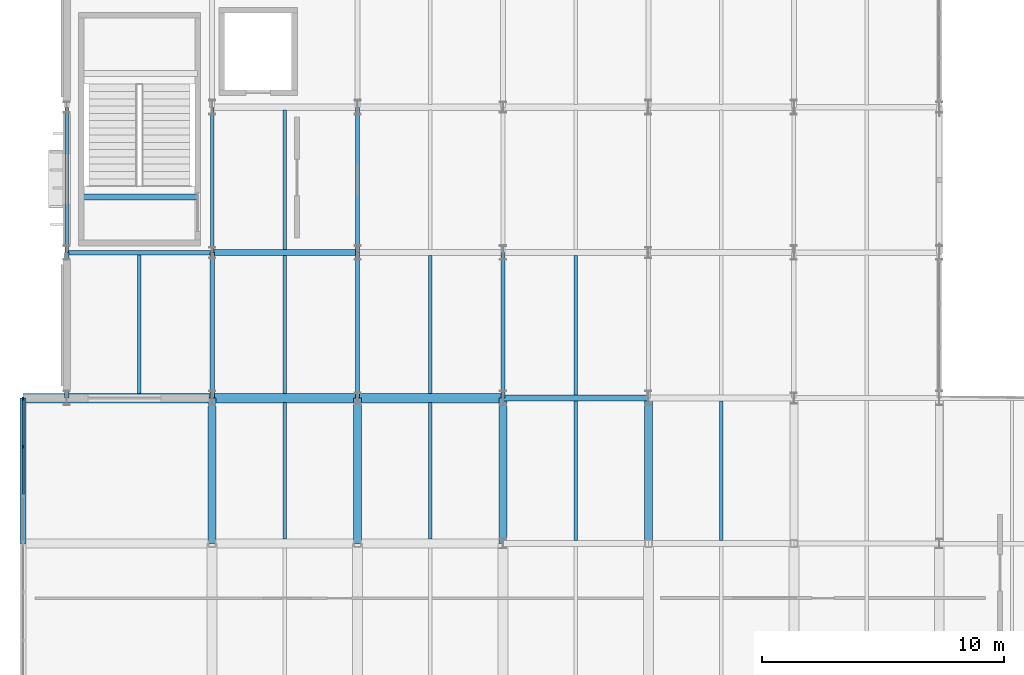
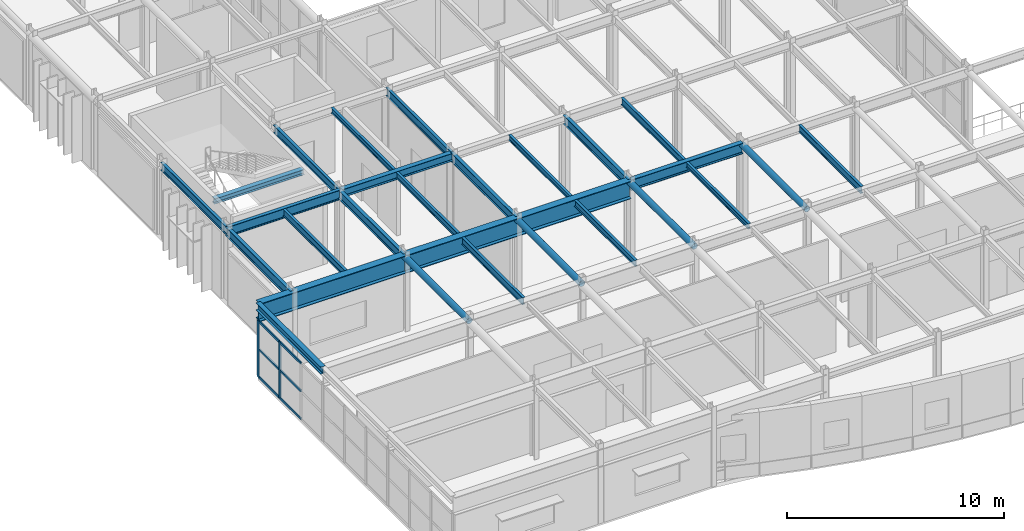
# One storey, part 24 of 96: 27 beams, 8 members, 1 element without a shape of its own.
"""IFC4 building model written with IfcOpenShell, lengths in metres."""

from ifc_helpers import new_model, si_unit, direction, frame, origin, origin_2d, place, context, subcontext, project, spatial, rectangle, hollow_circle, i_section, extrude, material, material_profile, profile_set, type_object, element, aggregate, save


model = new_model("IFC4")

# Units and contexts
model_context = context("Model", 3, precision=1e-05, world=origin(), true_north=direction((0.0, 1.0)))
body_context = subcontext(model_context, "Body", "Model", "MODEL_VIEW")
ifc_project = project(units=[si_unit("LENGTHUNIT", "METRE"), si_unit("AREAUNIT", "SQUARE_METRE"), si_unit("VOLUMEUNIT", "CUBIC_METRE"), si_unit("PLANEANGLEUNIT", "RADIAN"), si_unit("MASSUNIT", "GRAM", prefix="KILO")], contexts=[model_context])

# Site, building, storey
site_placement = place(None, origin())
site = spatial("IfcSite", under=ifc_project, at=site_placement, CompositionType="ELEMENT")
building_placement = place(site_placement, origin())
building = spatial("IfcBuilding", under=site, at=building_placement, Name="Varnakota Square Police Headquarters", CompositionType="ELEMENT")
storey_placement = place(building_placement, frame((0.0, 0.0, 4.800048828125)))
storey = spatial("IfcBuildingStorey", under=building, at=storey_placement, Name="L01", CompositionType="ELEMENT", Elevation=4.800048828125)

# Beams
ifc_material_1 = material(Name="Steel IS 2062 Grade 350", Category="steel")
ifc_material_profile_1 = material_profile(ifc_material_1, hollow_circle(Radius=0.161865234375, WallThickness=0.0126953125, at=origin_2d()), Name="CHS 323.9x12.7")
ifc_profile_set_1 = profile_set([ifc_material_profile_1], Name="Steel IS 2062 Grade 350")
beam_type_1 = type_object("IfcBeamType", Name="BM-ARC-CHS324", PredefinedType="BEAM", material=ifc_profile_set_1)
for number, where, z_axis, x_axis, name in (
    (1, (12.0, 15.0, 4.0380859375), (0.0, 1.0, 0.0), (-1.0, 0.0, 0.0), "BMG-L01-1553"),
    (2, (18.0, 15.0, 4.0380859375), (0.0, 1.0, 0.0), (-1.0, 0.0, 0.0), "BMG-L01-1567"),
    (3, (24.0, 15.0, 4.0380859375), (0.0, 1.0, 0.0), (-1.0, 0.0, 0.0), "BMG-L01-1581"),
    (4, (30.0, 15.0, 4.0380859375), (0.0, 1.0, 0.0), (-1.0, 0.0, 0.0), "BMG-L01-1589"),
):
    element("IfcBeam", number, at=place(storey_placement, frame(where, z_axis=z_axis, x_axis=x_axis)), inside=storey, type_object=beam_type_1, Name=name, PredefinedType="BEAM", context=body_context, shape_type="SweptSolid", body=[
        extrude(hollow_circle(Radius=0.161865234375, WallThickness=0.0126953125, at=origin_2d()), origin(), (0.0, 0.0, 1.0), 6.0),
    ])
ifc_material_profile_2 = material_profile(ifc_material_1, i_section(OverallWidth=0.3798828125, OverallDepth=1.0, WebThickness=0.02001953125, FlangeThickness=0.031982421875, at=origin_2d()), Name="BPG 1000x380")
ifc_profile_set_2 = profile_set([ifc_material_profile_2], Name="Steel IS 2062 Grade 350")
beam_type_2 = type_object("IfcBeamType", Name="BM-BPG1000", PredefinedType="BEAM", material=ifc_profile_set_2)
beam_1_placement = place(storey_placement, frame((4.199951171875, 21.0, 3.699951171875), z_axis=(1.0, 0.0, 0.0), x_axis=(0.0, 1.0, 0.0)))
element("IfcBeam", 5, at=beam_1_placement, inside=storey, type_object=beam_type_2, Name="Cantilever projection girder L01 Y=21", PredefinedType="BEAM", context=body_context, shape_type="SweptSolid", body=[
    extrude(i_section(OverallWidth=0.3798828125, OverallDepth=1.0, WebThickness=0.02001953125, FlangeThickness=0.031982421875, at=origin_2d()), origin(), (0.0, 0.0, 1.0), 7.800048828125),
])
beam_2_placement = place(storey_placement, frame((12.0, 21.0, 3.699951171875), z_axis=(1.0, 0.0, 0.0), x_axis=(0.0, 1.0, 0.0)))
element("IfcBeam", 6, at=beam_2_placement, inside=storey, type_object=beam_type_2, Name="Cantilever back-span girder L01 Y=21", PredefinedType="BEAM", context=body_context, shape_type="SweptSolid", body=[
    extrude(i_section(OverallWidth=0.3798828125, OverallDepth=1.0, WebThickness=0.02001953125, FlangeThickness=0.031982421875, at=origin_2d()), origin(), (0.0, 0.0, 1.0), 12.0),
])
ifc_material_profile_3 = material_profile(ifc_material_1, i_section(OverallWidth=0.25, OverallDepth=0.300048828125, WebThickness=0.009521484375, FlangeThickness=0.010498046875, FilletRadius=0.011962890625, at=origin_2d()), Name="ISHB 300")
ifc_profile_set_3 = profile_set([ifc_material_profile_3], Name="Steel IS 2062 Grade 350")
beam_type_3 = type_object("IfcBeamType", Name="BM-ISHB300", PredefinedType="BEAM", material=ifc_profile_set_3)
beam_3_placement = place(storey_placement, frame((6.60009765625, 29.300048828125, 4.050048828125), z_axis=(1.0, 0.0, 0.0), x_axis=(0.0, 1.0, 0.0)))
element("IfcBeam", 7, at=beam_3_placement, inside=storey, type_object=beam_type_3, Name="Stair landing support beam BM-LND-0050", PredefinedType="BEAM", context=body_context, shape_type="SweptSolid", body=[
    extrude(i_section(OverallWidth=0.25, OverallDepth=0.300048828125, WebThickness=0.009521484375, FlangeThickness=0.010498046875, FilletRadius=0.011962890625, at=origin_2d()), origin(), (0.0, 0.0, 1.0), 4.7998046875),
])
ifc_material_profile_4 = material_profile(ifc_material_1, i_section(OverallWidth=0.25, OverallDepth=0.39990234375, WebThickness=0.010498046875, FlangeThickness=0.0126953125, FilletRadius=0.013916015625, at=origin_2d()), Name="ISHB 400")
ifc_profile_set_4 = profile_set([ifc_material_profile_4], Name="Steel IS 2062 Grade 350")
beam_type_4 = type_object("IfcBeamType", Name="BM-ISHB400", PredefinedType="BEAM", material=ifc_profile_set_4)
beam_4_placement = place(storey_placement, frame((4.199951171875, 15.0, 4.0), z_axis=(0.0, 1.0, 0.0), x_axis=(-1.0, 0.0, 0.0)))
element("IfcBeam", 8, at=beam_4_placement, inside=storey, type_object=beam_type_4, Name="Cantilever tip edge beam L01", PredefinedType="BEAM", context=body_context, shape_type="SweptSolid", body=[
    extrude(i_section(OverallWidth=0.25, OverallDepth=0.39990234375, WebThickness=0.010498046875, FlangeThickness=0.0126953125, FilletRadius=0.013916015625, at=origin_2d()), origin(), (0.0, 0.0, 1.0), 6.0),
])
ifc_material_profile_5 = material_profile(ifc_material_1, i_section(OverallWidth=0.25, OverallDepth=0.449951171875, WebThickness=0.01123046875, FlangeThickness=0.013671875, FilletRadius=0.014892578125, at=origin_2d()), Name="ISHB 450")
ifc_profile_set_5 = profile_set([ifc_material_profile_5], Name="Steel IS 2062 Grade 350")
beam_type_5 = type_object("IfcBeamType", Name="BM-ISHB450", PredefinedType="BEAM", material=ifc_profile_set_5)
beam_5_placement = place(storey_placement, frame((12.0, 27.0, 3.974853515625), z_axis=(1.0, 0.0, 0.0), x_axis=(0.0, 1.0, 0.0)))
element("IfcBeam", 9, at=beam_5_placement, inside=storey, type_object=beam_type_5, Name="BMG-L01-1366", PredefinedType="BEAM", context=body_context, shape_type="SweptSolid", body=[
    extrude(i_section(OverallWidth=0.25, OverallDepth=0.449951171875, WebThickness=0.01123046875, FlangeThickness=0.013671875, FilletRadius=0.014892578125, at=origin_2d()), origin(), (0.0, 0.0, 1.0), 6.0),
])
ifc_material_profile_6 = material_profile(ifc_material_1, i_section(OverallWidth=0.139892578125, OverallDepth=0.300048828125, WebThickness=0.0078125, FlangeThickness=0.01318359375, FilletRadius=0.013916015625, at=origin_2d()), Name="ISMB 300")
ifc_profile_set_6 = profile_set([ifc_material_profile_6], Name="Steel IS 2062 Grade 350")
beam_type_6 = type_object("IfcBeamType", Name="BM-ISMB300", PredefinedType="JOIST", material=ifc_profile_set_6)
beam_6_placement = place(storey_placement, frame((15.0, 27.123046875, 4.050048828125), z_axis=(0.0, 1.0, 0.0), x_axis=(-1.0, 0.0, 0.0)))
element("IfcBeam", 10, at=beam_6_placement, inside=storey, type_object=beam_type_6, Name="BMG-L01-1790", PredefinedType="JOIST", context=body_context, shape_type="SweptSolid", body=[
    extrude(i_section(OverallWidth=0.139892578125, OverallDepth=0.300048828125, WebThickness=0.0078125, FlangeThickness=0.01318359375, FilletRadius=0.013916015625, at=origin_2d()), origin(), (0.0, 0.0, 1.0), 5.75390625),
])
beam_7_placement = place(storey_placement, frame((21.0, 21.18798828125, 4.050048828125), z_axis=(0.0, 1.0, 0.0), x_axis=(-1.0, 0.0, 0.0)))
element("IfcBeam", 11, at=beam_7_placement, inside=storey, type_object=beam_type_6, Name="BMG-L01-1800", PredefinedType="JOIST", context=body_context, shape_type="SweptSolid", body=[
    extrude(i_section(OverallWidth=0.139892578125, OverallDepth=0.300048828125, WebThickness=0.0078125, FlangeThickness=0.01318359375, FilletRadius=0.013916015625, at=origin_2d()), origin(), (0.0, 0.0, 1.0), 5.68896484375),
])
beam_8_placement = place(storey_placement, frame((27.0, 15.123046875, 4.050048828125), z_axis=(0.0, 1.0, 0.0), x_axis=(-1.0, 0.0, 0.0)))
element("IfcBeam", 12, at=beam_8_placement, inside=storey, type_object=beam_type_6, Name="BMG-L01-1806", PredefinedType="JOIST", context=body_context, shape_type="SweptSolid", body=[
    extrude(i_section(OverallWidth=0.139892578125, OverallDepth=0.300048828125, WebThickness=0.0078125, FlangeThickness=0.01318359375, FilletRadius=0.013916015625, at=origin_2d()), origin(), (0.0, 0.0, 1.0), 5.75390625),
])
ifc_material_profile_7 = material_profile(ifc_material_1, i_section(OverallWidth=0.139892578125, OverallDepth=0.35009765625, WebThickness=0.008056640625, FlangeThickness=0.01416015625, FilletRadius=0.013916015625, at=origin_2d()), Name="ISMB 350")
ifc_profile_set_7 = profile_set([ifc_material_profile_7], Name="Steel IS 2062 Grade 350")
beam_type_7 = type_object("IfcBeamType", Name="BM-ISMB350", PredefinedType="JOIST", material=ifc_profile_set_7)
beam_9_placement = place(storey_placement, frame((15.0, 21.18798828125, 4.02490234375), z_axis=(0.0, 1.0, 0.0), x_axis=(-1.0, 0.0, 0.0)))
element("IfcBeam", 13, at=beam_9_placement, inside=storey, type_object=beam_type_7, Name="BMG-L01-1789", PredefinedType="JOIST", context=body_context, shape_type="SweptSolid", body=[
    extrude(i_section(OverallWidth=0.139892578125, OverallDepth=0.35009765625, WebThickness=0.008056640625, FlangeThickness=0.01416015625, FilletRadius=0.013916015625, at=origin_2d()), origin(), (0.0, 0.0, 1.0), 5.68896484375),
])
beam_10_placement = place(storey_placement, frame((21.0, 15.18798828125, 4.02490234375), z_axis=(0.0, 1.0, 0.0), x_axis=(-1.0, 0.0, 0.0)))
element("IfcBeam", 14, at=beam_10_placement, inside=storey, type_object=beam_type_7, Name="BMG-L01-1799", PredefinedType="JOIST", context=body_context, shape_type="SweptSolid", body=[
    extrude(i_section(OverallWidth=0.139892578125, OverallDepth=0.35009765625, WebThickness=0.008056640625, FlangeThickness=0.01416015625, FilletRadius=0.013916015625, at=origin_2d()), origin(), (0.0, 0.0, 1.0), 5.6240234375),
])
ifc_material_profile_8 = material_profile(ifc_material_1, i_section(OverallWidth=0.139892578125, OverallDepth=0.39990234375, WebThickness=0.0087890625, FlangeThickness=0.01611328125, FilletRadius=0.013916015625, at=origin_2d()), Name="ISMB 400")
ifc_profile_set_8 = profile_set([ifc_material_profile_8], Name="Steel IS 2062 Grade 350")
beam_type_8 = type_object("IfcBeamType", Name="BM-ISMB400", PredefinedType="JOIST", material=ifc_profile_set_8)
beam_11_placement = place(storey_placement, frame((9.0, 21.18798828125, 4.0), z_axis=(0.0, 1.0, 0.0), x_axis=(-1.0, 0.0, 0.0)))
element("IfcBeam", 15, at=beam_11_placement, inside=storey, type_object=beam_type_8, Name="BMG-L01-1779", PredefinedType="JOIST", context=body_context, shape_type="SweptSolid", body=[
    extrude(i_section(OverallWidth=0.139892578125, OverallDepth=0.39990234375, WebThickness=0.0087890625, FlangeThickness=0.01611328125, FilletRadius=0.013916015625, at=origin_2d()), origin(), (0.0, 0.0, 1.0), 5.718994140625),
])
beam_12_placement = place(storey_placement, frame((15.0, 15.18798828125, 4.0), z_axis=(0.0, 1.0, 0.0), x_axis=(-1.0, 0.0, 0.0)))
element("IfcBeam", 16, at=beam_12_placement, inside=storey, type_object=beam_type_8, Name="BMG-L01-1788", PredefinedType="JOIST", context=body_context, shape_type="SweptSolid", body=[
    extrude(i_section(OverallWidth=0.139892578125, OverallDepth=0.39990234375, WebThickness=0.0087890625, FlangeThickness=0.01611328125, FilletRadius=0.013916015625, at=origin_2d()), origin(), (0.0, 0.0, 1.0), 5.6240234375),
])
for number, where, z_axis, x_axis, name in (
    (17, (27.0, 21.123046875, 4.0), (0.0, 1.0, 0.0), (-1.0, 0.0, 0.0), "BMG-L01-1807"),
    (18, (33.0, 15.123046875, 4.0), (0.0, 1.0, 0.0), (-1.0, 0.0, 0.0), "BMG-L01-1814"),
):
    element("IfcBeam", number, at=place(storey_placement, frame(where, z_axis=z_axis, x_axis=x_axis)), inside=storey, type_object=beam_type_8, Name=name, PredefinedType="JOIST", context=body_context, shape_type="SweptSolid", body=[
        extrude(i_section(OverallWidth=0.139892578125, OverallDepth=0.39990234375, WebThickness=0.0087890625, FlangeThickness=0.01611328125, FilletRadius=0.013916015625, at=origin_2d()), origin(), (0.0, 0.0, 1.0), 5.75390625),
    ])
ifc_material_profile_9 = material_profile(ifc_material_1, i_section(OverallWidth=0.14990234375, OverallDepth=0.449951171875, WebThickness=0.009521484375, FlangeThickness=0.017333984375, FilletRadius=0.014892578125, at=origin_2d()), Name="ISMB 450")
ifc_profile_set_9 = profile_set([ifc_material_profile_9], Name="Steel IS 2062 Grade 350")
beam_type_9 = type_object("IfcBeamType", Name="BM-ISMB450", PredefinedType="BEAM", material=ifc_profile_set_9)
for number, where, z_axis, x_axis, name in (
    (19, (6.0, 27.0, 3.974853515625), (0.0, 1.0, 0.0), (-1.0, 0.0, 0.0), "BMG-L01-1538"),
    (20, (12.0, 27.0, 3.974853515625), (0.0, 1.0, 0.0), (-1.0, 0.0, 0.0), "BMG-L01-1555"),
    (21, (18.0, 27.0, 3.974853515625), (0.0, 1.0, 0.0), (-1.0, 0.0, 0.0), "BMG-L01-1569"),
):
    element("IfcBeam", number, at=place(storey_placement, frame(where, z_axis=z_axis, x_axis=x_axis)), inside=storey, type_object=beam_type_9, Name=name, PredefinedType="BEAM", context=body_context, shape_type="SweptSolid", body=[
        extrude(i_section(OverallWidth=0.14990234375, OverallDepth=0.449951171875, WebThickness=0.009521484375, FlangeThickness=0.017333984375, FilletRadius=0.014892578125, at=origin_2d()), origin(), (0.0, 0.0, 1.0), 6.0),
    ])
ifc_material_profile_10 = material_profile(ifc_material_1, i_section(OverallWidth=0.179931640625, OverallDepth=0.5, WebThickness=0.01025390625, FlangeThickness=0.01708984375, FilletRadius=0.01708984375, at=origin_2d()), Name="ISMB 500")
ifc_profile_set_10 = profile_set([ifc_material_profile_10], Name="Steel IS 2062 Grade 350")
beam_type_10 = type_object("IfcBeamType", Name="BM-ISMB500", PredefinedType="BEAM", material=ifc_profile_set_10)
for number, where, z_axis, x_axis, name in (
    (22, (6.0, 21.0, 3.949951171875), (0.0, 1.0, 0.0), (-1.0, 0.0, 0.0), "BMG-L01-1537"),
    (23, (12.0, 21.0, 3.949951171875), (0.0, 1.0, 0.0), (-1.0, 0.0, 0.0), "BMG-L01-1554"),
    (24, (18.0, 21.0, 3.949951171875), (0.0, 1.0, 0.0), (-1.0, 0.0, 0.0), "BMG-L01-1568"),
    (25, (24.0, 21.0, 3.949951171875), (0.0, 1.0, 0.0), (-1.0, 0.0, 0.0), "BMG-L01-1582"),
):
    element("IfcBeam", number, at=place(storey_placement, frame(where, z_axis=z_axis, x_axis=x_axis)), inside=storey, type_object=beam_type_10, Name=name, PredefinedType="BEAM", context=body_context, shape_type="SweptSolid", body=[
        extrude(i_section(OverallWidth=0.179931640625, OverallDepth=0.5, WebThickness=0.01025390625, FlangeThickness=0.01708984375, FilletRadius=0.01708984375, at=origin_2d()), origin(), (0.0, 0.0, 1.0), 6.0),
    ])
ifc_material_profile_11 = material_profile(ifc_material_1, i_section(OverallWidth=0.18994140625, OverallDepth=0.550048828125, WebThickness=0.01123046875, FlangeThickness=0.019287109375, FilletRadius=0.01806640625, at=origin_2d()), Name="ISMB 550")
ifc_profile_set_11 = profile_set([ifc_material_profile_11], Name="Steel IS 2062 Grade 350")
beam_type_11 = type_object("IfcBeamType", Name="BM-ISMB550", PredefinedType="BEAM", material=ifc_profile_set_11)
beam_13_placement = place(storey_placement, frame((6.0, 27.0, 3.925048828125), z_axis=(1.0, 0.0, 0.0), x_axis=(0.0, 1.0, 0.0)))
element("IfcBeam", 26, at=beam_13_placement, inside=storey, type_object=beam_type_11, Name="BMG-L01-1365", PredefinedType="BEAM", context=body_context, shape_type="SweptSolid", body=[
    extrude(i_section(OverallWidth=0.18994140625, OverallDepth=0.550048828125, WebThickness=0.01123046875, FlangeThickness=0.019287109375, FilletRadius=0.01806640625, at=origin_2d()), origin(), (0.0, 0.0, 1.0), 6.0),
])
ifc_material_profile_12 = material_profile(ifc_material_1, i_section(OverallWidth=0.25, OverallDepth=0.60009765625, WebThickness=0.01171875, FlangeThickness=0.023681640625, FilletRadius=0.01708984375, at=origin_2d()), Name="ISWB 600")
ifc_profile_set_12 = profile_set([ifc_material_profile_12], Name="Steel IS 2062 Grade 350")
beam_type_12 = type_object("IfcBeamType", Name="BM-ISWB600", PredefinedType="BEAM", material=ifc_profile_set_12)
beam_14_placement = place(storey_placement, frame((24.0, 21.0, 3.89990234375), z_axis=(1.0, 0.0, 0.0), x_axis=(0.0, 1.0, 0.0)))
element("IfcBeam", 27, at=beam_14_placement, inside=storey, type_object=beam_type_12, Name="BMG-L01-1355", PredefinedType="BEAM", context=body_context, shape_type="SweptSolid", body=[
    extrude(i_section(OverallWidth=0.25, OverallDepth=0.60009765625, WebThickness=0.01171875, FlangeThickness=0.023681640625, FilletRadius=0.01708984375, at=origin_2d()), origin(), (0.0, 0.0, 1.0), 6.0),
])

# Curtain wall, members
ifc_material_2 = material(Name="Anodised Aluminium Framing", Category="aluminium")
curtain_wall_type = type_object("IfcCurtainWallType", Name="CW-SYS-B", PredefinedType="NOTDEFINED", material=ifc_material_2)
curtain_wall_placement = place(storey_placement, origin())
curtain_wall = element("IfcCurtainWall", 28, at=curtain_wall_placement, inside=storey, type_object=curtain_wall_type, Name="Unitised curtain wall CWG-L01-044", PredefinedType="NOTDEFINED")
ifc_material_3 = material(Name="Anodised Aluminium 6063-T6", Category="aluminium")
ifc_material_profile_13 = material_profile(ifc_material_3, rectangle(XDim=0.06494140625, YDim=0.159912109375, at=origin_2d()), Name="ALU MULLION 65x160")
ifc_profile_set_13 = profile_set([ifc_material_profile_13], Name="Anodised Aluminium 6063-T6")
member_type_1 = type_object("IfcMemberType", Name="CWM-150", PredefinedType="MULLION", material=ifc_profile_set_13)
member_1_placement = place(storey_placement, frame((4.199951171875, 19.0, 0.0), z_axis=(0.0, 0.0, 1.0), x_axis=(-1.0, 0.0, 0.0)))
member_1 = element("IfcMember", 29, at=member_1_placement, type_object=member_type_1, Name="CWG-L01-044 mullion 3", PredefinedType="MULLION", context=body_context, shape_type="SweptSolid", body=[
    extrude(rectangle(XDim=0.06494140625, YDim=0.159912109375, at=origin_2d()), origin(), (0.0, 0.0, 1.0), 3.18994140625),
])
member_2_placement = place(storey_placement, frame((4.199951171875, 20.967529296875, 0.0), z_axis=(0.0, 0.0, 1.0), x_axis=(-1.0, 0.0, 0.0)))
member_2 = element("IfcMember", 30, at=member_2_placement, type_object=member_type_1, Name="CWG-L01-044 mullion 4", PredefinedType="MULLION", context=body_context, shape_type="SweptSolid", body=[
    extrude(rectangle(XDim=0.06494140625, YDim=0.159912109375, at=origin_2d()), origin(), (0.0, 0.0, 1.0), 3.18994140625),
])
ifc_material_profile_14 = material_profile(ifc_material_3, rectangle(XDim=0.06494140625, YDim=0.1298828125, at=origin_2d()), Name="ALU TRANSOM 65x130")
ifc_profile_set_14 = profile_set([ifc_material_profile_14], Name="Anodised Aluminium 6063-T6")
member_type_2 = type_object("IfcMemberType", Name="CWT-120", PredefinedType="USERDEFINED", material=ifc_profile_set_14)
member_3_placement = place(storey_placement, frame((4.199951171875, 17.032470703125, 0.032470703125), z_axis=(0.0, 1.0, 0.0), x_axis=(-1.0, 0.0, 0.0)))
member_3 = element("IfcMember", 31, at=member_3_placement, type_object=member_type_2, Name="CWG-L01-044 transom 2.1", ObjectType="TRANSOM", PredefinedType="USERDEFINED", context=body_context, shape_type="SweptSolid", body=[
    extrude(rectangle(XDim=0.06494140625, YDim=0.1298828125, at=origin_2d()), origin(), (0.0, 0.0, 1.0), 1.93505859375),
])
member_4_placement = place(storey_placement, frame((4.199951171875, 17.032470703125, 1.594970703125), z_axis=(0.0, 1.0, 0.0), x_axis=(-1.0, 0.0, 0.0)))
member_4 = element("IfcMember", 32, at=member_4_placement, type_object=member_type_2, Name="CWG-L01-044 transom 2.2", ObjectType="TRANSOM", PredefinedType="USERDEFINED", context=body_context, shape_type="SweptSolid", body=[
    extrude(rectangle(XDim=0.06494140625, YDim=0.1298828125, at=origin_2d()), origin(), (0.0, 0.0, 1.0), 1.93505859375),
])
member_5_placement = place(storey_placement, frame((4.199951171875, 17.032470703125, 3.157470703125), z_axis=(0.0, 1.0, 0.0), x_axis=(-1.0, 0.0, 0.0)))
member_5 = element("IfcMember", 33, at=member_5_placement, type_object=member_type_2, Name="CWG-L01-044 transom 2.3", ObjectType="TRANSOM", PredefinedType="USERDEFINED", context=body_context, shape_type="SweptSolid", body=[
    extrude(rectangle(XDim=0.06494140625, YDim=0.1298828125, at=origin_2d()), origin(), (0.0, 0.0, 1.0), 1.93505859375),
])
member_6_placement = place(storey_placement, frame((4.199951171875, 19.032470703125, 0.032470703125), z_axis=(0.0, 1.0, 0.0), x_axis=(-1.0, 0.0, 0.0)))
member_6 = element("IfcMember", 34, at=member_6_placement, type_object=member_type_2, Name="CWG-L01-044 transom 3.1", ObjectType="TRANSOM", PredefinedType="USERDEFINED", context=body_context, shape_type="SweptSolid", body=[
    extrude(rectangle(XDim=0.06494140625, YDim=0.1298828125, at=origin_2d()), origin(), (0.0, 0.0, 1.0), 1.902587890625),
])
member_7_placement = place(storey_placement, frame((4.199951171875, 19.032470703125, 1.594970703125), z_axis=(0.0, 1.0, 0.0), x_axis=(-1.0, 0.0, 0.0)))
member_7 = element("IfcMember", 35, at=member_7_placement, type_object=member_type_2, Name="CWG-L01-044 transom 3.2", ObjectType="TRANSOM", PredefinedType="USERDEFINED", context=body_context, shape_type="SweptSolid", body=[
    extrude(rectangle(XDim=0.06494140625, YDim=0.1298828125, at=origin_2d()), origin(), (0.0, 0.0, 1.0), 1.902587890625),
])
member_8_placement = place(storey_placement, frame((4.199951171875, 19.032470703125, 3.157470703125), z_axis=(0.0, 1.0, 0.0), x_axis=(-1.0, 0.0, 0.0)))
member_8 = element("IfcMember", 36, at=member_8_placement, type_object=member_type_2, Name="CWG-L01-044 transom 3.3", ObjectType="TRANSOM", PredefinedType="USERDEFINED", context=body_context, shape_type="SweptSolid", body=[
    extrude(rectangle(XDim=0.06494140625, YDim=0.1298828125, at=origin_2d()), origin(), (0.0, 0.0, 1.0), 1.902587890625),
])
aggregate(curtain_wall, [member_1, member_2, member_3, member_4, member_5, member_6, member_7, member_8])

save(model, "model.ifc")
